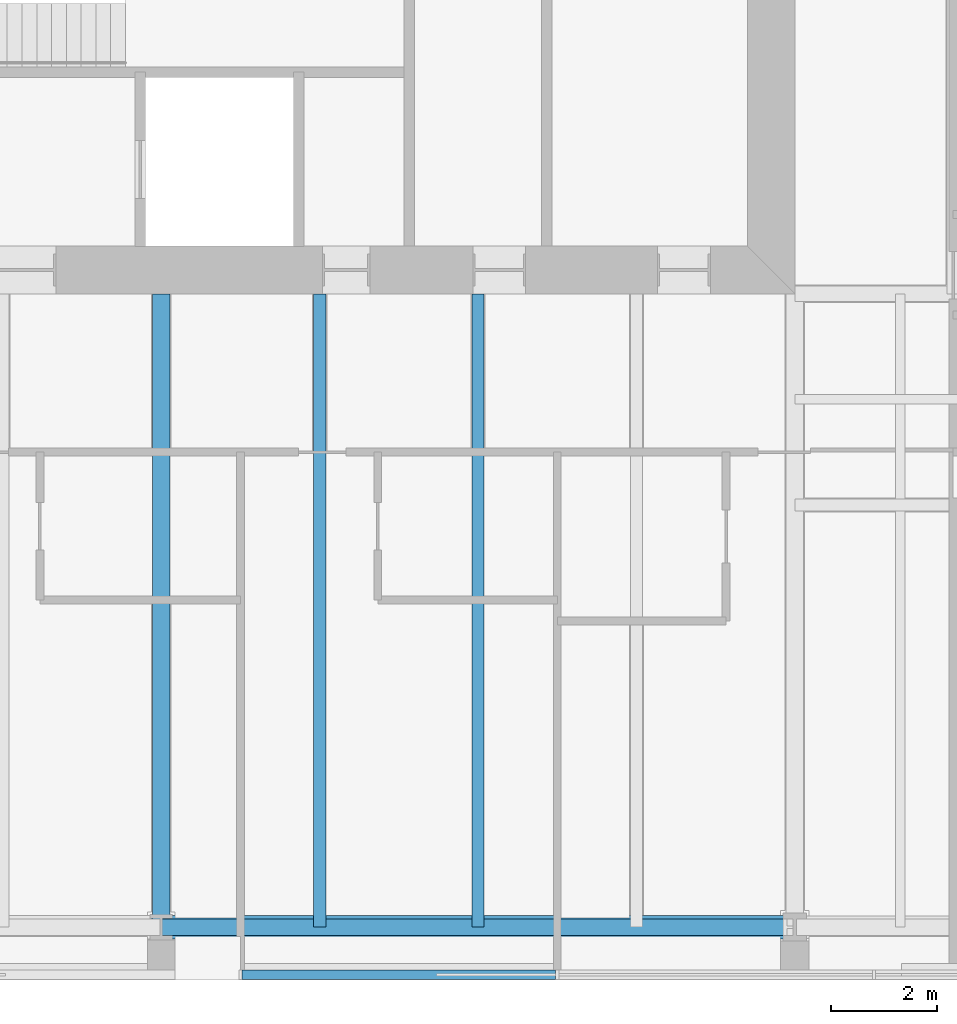
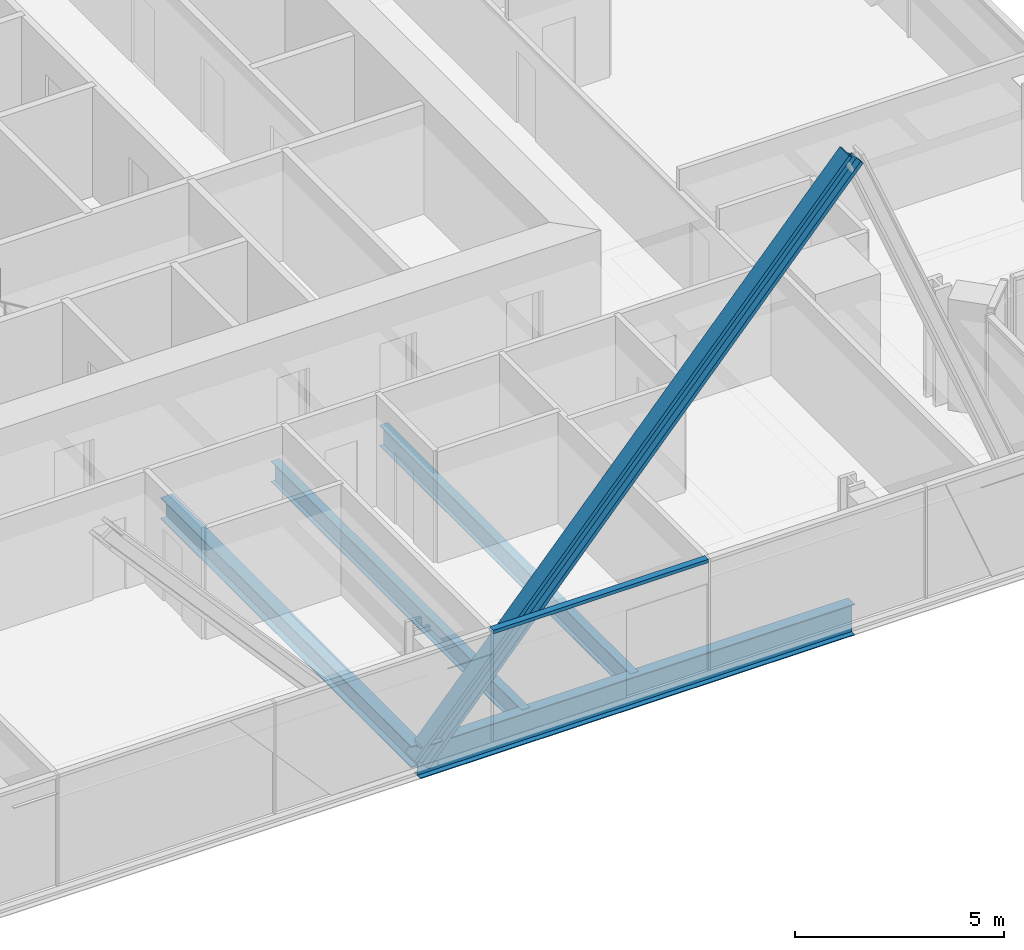
# One storey, part 3 of 19: 4 beams, 2 members, 1 element without a shape of its own.
"""IFC4 building model written with IfcOpenShell, lengths in metres."""

from ifc_helpers import new_model, si_unit, direction, frame, origin, origin_2d, place, context, subcontext, project, spatial, rectangle, i_section, extrude, material, material_profile, profile_set, type_object, element, aggregate, save


model = new_model("IFC4")

# Units and contexts
model_context = context("Model", 3, precision=1e-05, world=origin(), true_north=direction((0.0, 1.0)))
body_context = subcontext(model_context, "Body", "Model", "MODEL_VIEW")
ifc_project = project(units=[si_unit("LENGTHUNIT", "METRE"), si_unit("AREAUNIT", "SQUARE_METRE"), si_unit("VOLUMEUNIT", "CUBIC_METRE"), si_unit("PLANEANGLEUNIT", "RADIAN"), si_unit("MASSUNIT", "GRAM", prefix="KILO")], contexts=[model_context])

# Site, building, storey
site_placement = place(None, origin())
site = spatial("IfcSite", under=ifc_project, at=site_placement, CompositionType="ELEMENT")
building_placement = place(site_placement, origin())
building = spatial("IfcBuilding", under=site, at=building_placement, Name="Fenwick Lantern Interchange", CompositionType="ELEMENT")
storey_placement = place(building_placement, frame((0.0, 0.0, 283.199951171875)))
storey = spatial("IfcBuildingStorey", under=building, at=storey_placement, Name="L68", CompositionType="ELEMENT", Elevation=283.199951171875)

# Beam
ifc_material_1 = material(Name="Steel ASTM A992 Grade 50", Category="steel")
ifc_material_profile_1 = material_profile(ifc_material_1, i_section(OverallWidth=0.3046875, OverallDepth=0.911865234375, WebThickness=0.015869140625, FlangeThickness=0.02392578125, at=origin_2d()), Name="W36X150")
ifc_profile_set_1 = profile_set([ifc_material_profile_1], Name="Steel ASTM A992 Grade 50")
beam_type_1 = type_object("IfcBeamType", Name="EDGE BEAM W36X150", PredefinedType="SPANDREL", material=ifc_profile_set_1)
beam_1_placement = place(storey_placement, frame((25.0, 1.0, -0.60595703125), z_axis=(1.0, 0.0, 0.0), x_axis=(0.0, 1.0, 0.0)))
element("IfcBeam", 1, at=beam_1_placement, inside=storey, type_object=beam_type_1, Name="L68/FR/S/EB3", PredefinedType="SPANDREL", context=body_context, shape_type="SweptSolid", body=[
    extrude(i_section(OverallWidth=0.3046875, OverallDepth=0.911865234375, WebThickness=0.015869140625, FlangeThickness=0.02392578125, at=origin_2d()), origin(), (0.0, 0.0, 1.0), 12.0),
])

# Member
ifc_material_profile_2 = material_profile(ifc_material_1, i_section(OverallWidth=0.44189453125, OverallDepth=0.53076171875, WebThickness=0.06591796875, FlangeThickness=0.105712890625, at=origin_2d()), Name="W14X605")
ifc_profile_set_2 = profile_set([ifc_material_profile_2], Name="Steel ASTM A992 Grade 50")
member_type_1 = type_object("IfcMemberType", Name="FACADE BRACE W14X605", PredefinedType="BRACE", material=ifc_profile_set_2)
member_1_placement = place(storey_placement, frame((25.0, 1.0, -0.60595703125), z_axis=(0.66476668545, 0.0, 0.747051038361), x_axis=(0.0, 1.0, 0.0)))
element("IfcMember", 2, at=member_1_placement, inside=storey, type_object=member_type_1, Name="L68/FB/S/B", PredefinedType="BRACE", context=body_context, shape_type="SweptSolid", body=[
    extrude(i_section(OverallWidth=0.44189453125, OverallDepth=0.53076171875, WebThickness=0.06591796875, FlangeThickness=0.105712890625, at=origin_2d()), origin(), (0.0, 0.0, 1.0), 18.051513671875),
])

# Beams
ifc_material_profile_3 = material_profile(ifc_material_1, i_section(OverallWidth=0.22900390625, OverallDepth=0.612060546875, WebThickness=0.011962890625, FlangeThickness=0.01953125, at=origin_2d()), Name="W24X84")
ifc_profile_set_3 = profile_set([ifc_material_profile_3], Name="Steel ASTM A992 Grade 50")
beam_type_2 = type_object("IfcBeamType", Name="FLOOR BEAM W24X84", PredefinedType="BEAM", material=ifc_profile_set_3)
for number, where, z_axis, x_axis, name in (
    (3, (28.0, 1.0, -0.4560546875), (0.0, 1.0, 0.0), (-1.0, 0.0, 0.0), "L68/FR/S/R06"),
    (4, (31.0, 1.0, -0.4560546875), (0.0, 1.0, 0.0), (-1.0, 0.0, 0.0), "L68/FR/S/R07"),
):
    element("IfcBeam", number, at=place(storey_placement, frame(where, z_axis=z_axis, x_axis=x_axis)), inside=storey, type_object=beam_type_2, Name=name, PredefinedType="BEAM", context=body_context, shape_type="SweptSolid", body=[
        extrude(i_section(OverallWidth=0.22900390625, OverallDepth=0.612060546875, WebThickness=0.011962890625, FlangeThickness=0.01953125, at=origin_2d()), origin(), (0.0, 0.0, 1.0), 12.0),
    ])

# Curtain wall, member
ifc_material_2 = material(Name="Aluminium curtain wall frame", Category="aluminium")
curtain_wall_type = type_object("IfcCurtainWallType", Name="HOTEL CURTAIN WALL", PredefinedType="USERDEFINED", material=ifc_material_2)
curtain_wall_placement = place(storey_placement, origin())
curtain_wall = element("IfcCurtainWall", 5, at=curtain_wall_placement, inside=storey, type_object=curtain_wall_type, Name="Hotel curtain wall 01", ObjectType="HOTEL CURTAIN WALL", PredefinedType="USERDEFINED")
ifc_material_3 = material(Name="Aluminium extrusion", Category="aluminium")
ifc_material_profile_4 = material_profile(ifc_material_3, rectangle(XDim=0.179931640625, YDim=0.10009765625, at=origin_2d()), Name="HOTEL CURTAIN WALL TRANSOM 100 X 180")
ifc_profile_set_4 = profile_set([ifc_material_profile_4], Name="Aluminium extrusion")
member_type_2 = type_object("IfcMemberType", Name="HOTEL CURTAIN WALL TRANSOM 100 X 180", PredefinedType="MULLION", material=ifc_profile_set_4)
member_2_placement = place(storey_placement, frame((26.530029296875, 0.10009765625, 3.199951171875), z_axis=(1.0, 0.0, 0.0), x_axis=(0.0, 1.0, 0.0)))
member_2 = element("IfcMember", 6, at=member_2_placement, type_object=member_type_2, Name="L68/CW/01/T04", PredefinedType="MULLION", context=body_context, shape_type="SweptSolid", body=[
    extrude(rectangle(XDim=0.179931640625, YDim=0.10009765625, at=origin_2d()), origin(), (0.0, 0.0, 1.0), 5.93994140625),
])
aggregate(curtain_wall, [member_2])

# Beam
ifc_material_profile_5 = material_profile(ifc_material_1, i_section(OverallWidth=0.32763671875, OverallDepth=0.622314453125, WebThickness=0.015380859375, FlangeThickness=0.0244140625, at=origin_2d()), Name="W24X131")
ifc_profile_set_5 = profile_set([ifc_material_profile_5], Name="Steel ASTM A992 Grade 50")
beam_type_3 = type_object("IfcBeamType", Name="MOMENT-CONNECTED GIRDER W24X131", PredefinedType="BEAM", material=ifc_profile_set_5)
beam_2_placement = place(storey_placement, frame((25.0, 1.0, -0.461181640625), z_axis=(0.0, 1.0, 0.0), x_axis=(-1.0, 0.0, 0.0)))
element("IfcBeam", 7, at=beam_2_placement, inside=storey, type_object=beam_type_3, Name="L68/FR/S/R05", PredefinedType="BEAM", context=body_context, shape_type="SweptSolid", body=[
    extrude(i_section(OverallWidth=0.32763671875, OverallDepth=0.622314453125, WebThickness=0.015380859375, FlangeThickness=0.0244140625, at=origin_2d()), origin(), (0.0, 0.0, 1.0), 12.0),
])

save(model, "model.ifc")
